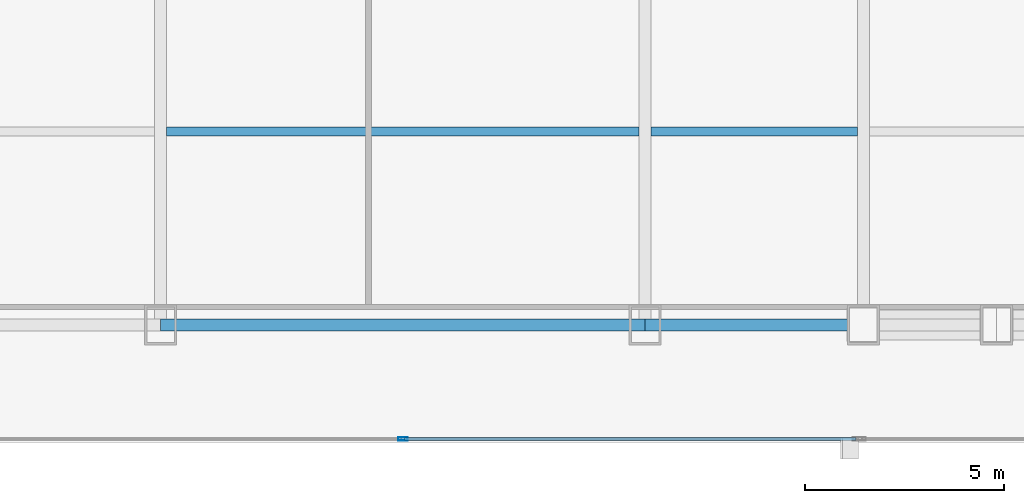
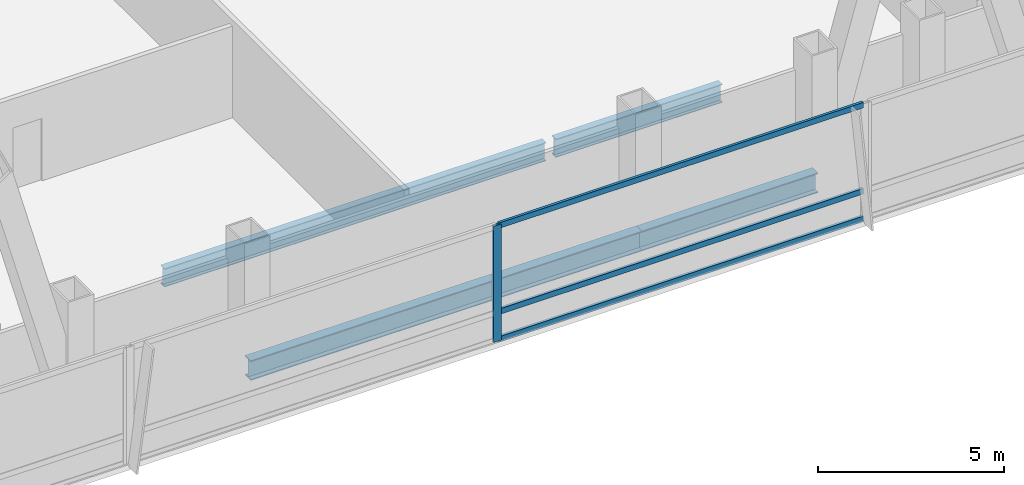
# One storey, part 12 of 36: 4 beams, 4 members, 1 element without a shape of its own.
"""IFC4 building model written with IfcOpenShell, lengths in metres."""

from ifc_helpers import new_model, si_unit, direction, frame, origin, origin_2d, place, context, subcontext, project, spatial, hollow_rectangle, i_section, extrude, material, material_profile, profile_set, type_object, element, aggregate, save


model = new_model("IFC4")

# Units and contexts
model_context = context("Model", 3, precision=1e-05, world=origin(), true_north=direction((0.0, 1.0)))
body_context = subcontext(model_context, "Body", "Model", "MODEL_VIEW")
ifc_project = project(units=[si_unit("LENGTHUNIT", "METRE"), si_unit("AREAUNIT", "SQUARE_METRE"), si_unit("VOLUMEUNIT", "CUBIC_METRE"), si_unit("PLANEANGLEUNIT", "RADIAN"), si_unit("MASSUNIT", "GRAM", prefix="KILO")], contexts=[model_context])

# Site, building, storey
site_placement = place(None, origin())
site = spatial("IfcSite", under=ifc_project, at=site_placement, CompositionType="ELEMENT")
building_placement = place(site_placement, origin())
building = spatial("IfcBuilding", under=site, at=building_placement, Name="Khoronbel Lancet Exchange", CompositionType="ELEMENT")
storey_placement = place(building_placement, frame((0.0, 0.0, 49.800048828125)))
storey = spatial("IfcBuildingStorey", under=building, at=storey_placement, Name="L11", CompositionType="ELEMENT", Elevation=49.800048828125)

# Beams
ifc_material_1 = material(Name="Steel S355", Category="steel")
ifc_material_profile_1 = material_profile(ifc_material_1, i_section(OverallWidth=0.219970703125, OverallDepth=0.60009765625, WebThickness=0.011962890625, FlangeThickness=0.01904296875, at=origin_2d()), Name="IPE 600")
ifc_profile_set_1 = profile_set([ifc_material_profile_1], Name="Steel S355")
beam_type_1 = type_object("IfcBeamType", Name="BM-BJ1", PredefinedType="JOIST", material=ifc_profile_set_1)
beam_1_placement = place(storey_placement, frame((30.52490234375, 15.0, -0.47998046875), z_axis=(1.0, 0.0, 0.0), x_axis=(0.0, 1.0, 0.0)))
element("IfcBeam", 1, at=beam_1_placement, inside=storey, type_object=beam_type_1, Name="Level L11 secondary composite joist J03", PredefinedType="JOIST", context=body_context, shape_type="SweptSolid", body=[
    extrude(i_section(OverallWidth=0.219970703125, OverallDepth=0.60009765625, WebThickness=0.011962890625, FlangeThickness=0.01904296875, at=origin_2d()), origin(), (0.0, 0.0, 1.0), 11.85009765625),
])
beam_2_placement = place(storey_placement, frame((42.675048828125, 15.0, -0.47998046875), z_axis=(1.0, 0.0, 0.0), x_axis=(0.0, 1.0, 0.0)))
element("IfcBeam", 2, at=beam_2_placement, inside=storey, type_object=beam_type_1, Name="Level L11 secondary composite joist J04", PredefinedType="JOIST", context=body_context, shape_type="SweptSolid", body=[
    extrude(i_section(OverallWidth=0.219970703125, OverallDepth=0.60009765625, WebThickness=0.011962890625, FlangeThickness=0.01904296875, at=origin_2d()), origin(), (0.0, 0.0, 1.0), 5.175048828125),
])
ifc_material_profile_2 = material_profile(ifc_material_1, i_section(OverallWidth=0.300048828125, OverallDepth=0.64990234375, WebThickness=0.01611328125, FlangeThickness=0.031005859375, at=origin_2d()), Name="HEB 650")
ifc_profile_set_2 = profile_set([ifc_material_profile_2], Name="Steel S355")
beam_type_2 = type_object("IfcBeamType", Name="BM-BSP1", PredefinedType="SPANDREL", material=ifc_profile_set_2)
beam_3_placement = place(storey_placement, frame((30.375, 10.14990234375, -0.505126953125), z_axis=(1.0, 0.0, 0.0), x_axis=(0.0, 1.0, 0.0)))
element("IfcBeam", 3, at=beam_3_placement, inside=storey, type_object=beam_type_2, Name="Level L11 perimeter spandrel beam SP05", PredefinedType="SPANDREL", context=body_context, shape_type="SweptSolid", body=[
    extrude(i_section(OverallWidth=0.300048828125, OverallDepth=0.64990234375, WebThickness=0.01611328125, FlangeThickness=0.031005859375, at=origin_2d()), origin(), (0.0, 0.0, 1.0), 12.14990234375),
])
beam_4_placement = place(storey_placement, frame((42.52490234375, 10.14990234375, -0.505126953125), z_axis=(1.0, 0.0, 0.0), x_axis=(0.0, 1.0, 0.0)))
element("IfcBeam", 4, at=beam_4_placement, inside=storey, type_object=beam_type_2, Name="Level L11 perimeter spandrel beam SP06", PredefinedType="SPANDREL", context=body_context, shape_type="SweptSolid", body=[
    extrude(i_section(OverallWidth=0.300048828125, OverallDepth=0.64990234375, WebThickness=0.01611328125, FlangeThickness=0.031005859375, at=origin_2d()), origin(), (0.0, 0.0, 1.0), 5.47509765625),
])

# Curtain wall, members
ifc_material_2 = material(Name="Low-E Solar Control Insulating Glass", Category="glass")
curtain_wall_type = type_object("IfcCurtainWallType", Name="CW-1", PredefinedType="NOTDEFINED", material=ifc_material_2)
curtain_wall_placement = place(storey_placement, origin())
curtain_wall = element("IfcCurtainWall", 5, at=curtain_wall_placement, inside=storey, type_object=curtain_wall_type, Name="Unitised curtain wall CW-L11-SCV", PredefinedType="NOTDEFINED")
ifc_material_3 = material(Name="Bronze-Anodised Aluminium 6063-T6", Category="aluminium")
ifc_material_profile_3 = material_profile(ifc_material_3, hollow_rectangle(XDim=0.0849609375, YDim=0.239990234375, WallThickness=0.006103515625, at=origin_2d()), Name="ALU MULLION 85x240")
ifc_profile_set_3 = profile_set([ifc_material_profile_3], Name="Bronze-Anodised Aluminium 6063-T6")
member_type_1 = type_object("IfcMemberType", Name="MEM-CWM1", PredefinedType="MULLION", material=ifc_profile_set_3)
member_1_placement = place(storey_placement, frame((36.449951171875, 7.2900390625, 0.0), z_axis=(0.0, 0.0, 1.0), x_axis=(0.0, 1.0, 0.0)))
member_1 = element("IfcMember", 6, at=member_1_placement, type_object=member_type_1, Name="CW1 mullion 2", PredefinedType="MULLION", context=body_context, shape_type="SweptSolid", body=[
    extrude(hollow_rectangle(XDim=0.0849609375, YDim=0.239990234375, WallThickness=0.006103515625, at=origin_2d()), origin(), (0.0, 0.0, 1.0), 3.820068359375),
])
ifc_material_profile_4 = material_profile(ifc_material_3, hollow_rectangle(XDim=0.0849609375, YDim=0.179931640625, WallThickness=0.0048828125, at=origin_2d()), Name="ALU TRANSOM 85x180")
ifc_profile_set_4 = profile_set([ifc_material_profile_4], Name="Bronze-Anodised Aluminium 6063-T6")
member_type_2 = type_object("IfcMemberType", Name="MEM-CWT1", PredefinedType="USERDEFINED", material=ifc_profile_set_4)
member_2_placement = place(storey_placement, frame((36.492431640625, 7.2900390625, 0.04248046875), z_axis=(1.0, 0.0, 0.0), x_axis=(0.0, 1.0, 0.0)))
member_2 = element("IfcMember", 7, at=member_2_placement, type_object=member_type_2, Name="CW1 transom 2.1", ObjectType="TRANSOM", PredefinedType="USERDEFINED", context=body_context, shape_type="SweptSolid", body=[
    extrude(hollow_rectangle(XDim=0.0849609375, YDim=0.179931640625, WallThickness=0.0048828125, at=origin_2d()), origin(), (0.0, 0.0, 1.0), 11.322509765625),
])
member_3_placement = place(storey_placement, frame((36.492431640625, 7.2900390625, 0.949951171875), z_axis=(1.0, 0.0, 0.0), x_axis=(0.0, 1.0, 0.0)))
member_3 = element("IfcMember", 8, at=member_3_placement, type_object=member_type_2, Name="CW1 transom 2.2", ObjectType="TRANSOM", PredefinedType="USERDEFINED", context=body_context, shape_type="SweptSolid", body=[
    extrude(hollow_rectangle(XDim=0.0849609375, YDim=0.179931640625, WallThickness=0.0048828125, at=origin_2d()), origin(), (0.0, 0.0, 1.0), 11.322509765625),
])
member_4_placement = place(storey_placement, frame((36.492431640625, 7.2900390625, 3.77734375), z_axis=(1.0, 0.0, 0.0), x_axis=(0.0, 1.0, 0.0)))
member_4 = element("IfcMember", 9, at=member_4_placement, type_object=member_type_2, Name="CW1 transom 2.3", ObjectType="TRANSOM", PredefinedType="USERDEFINED", context=body_context, shape_type="SweptSolid", body=[
    extrude(hollow_rectangle(XDim=0.0849609375, YDim=0.179931640625, WallThickness=0.0048828125, at=origin_2d()), origin(), (0.0, 0.0, 1.0), 11.322509765625),
])
aggregate(curtain_wall, [member_1, member_2, member_3, member_4])

save(model, "model.ifc")
